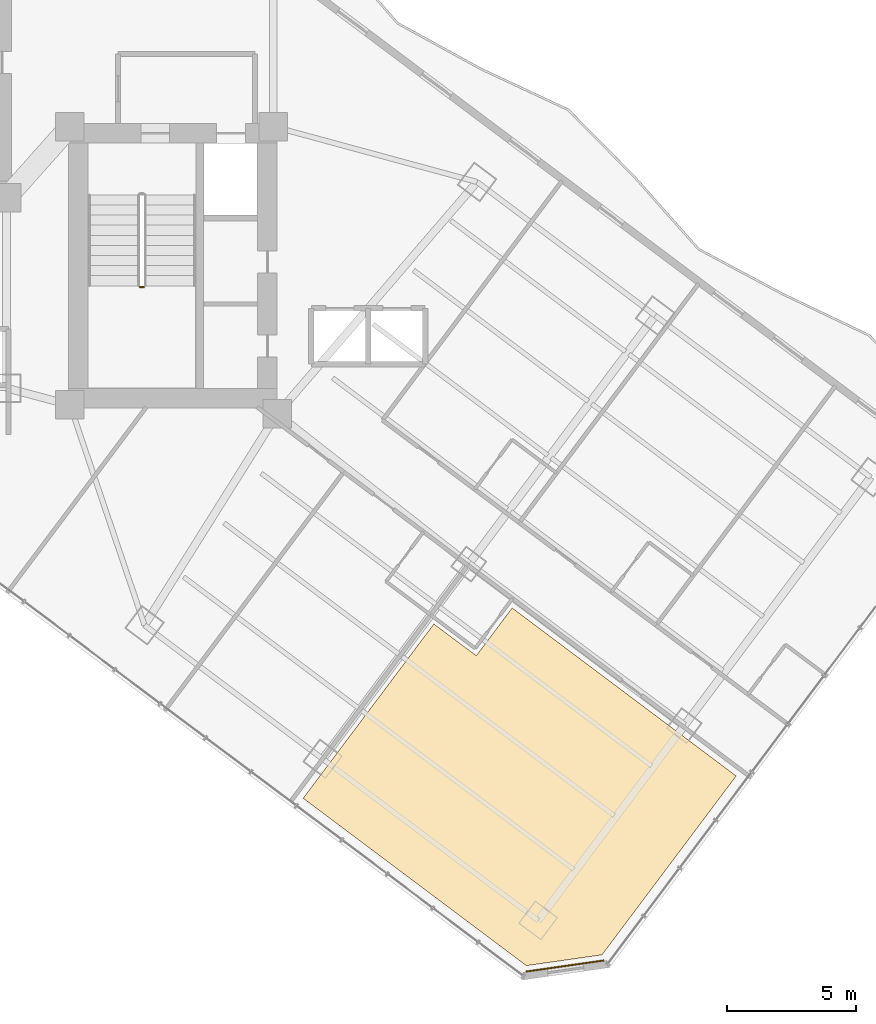
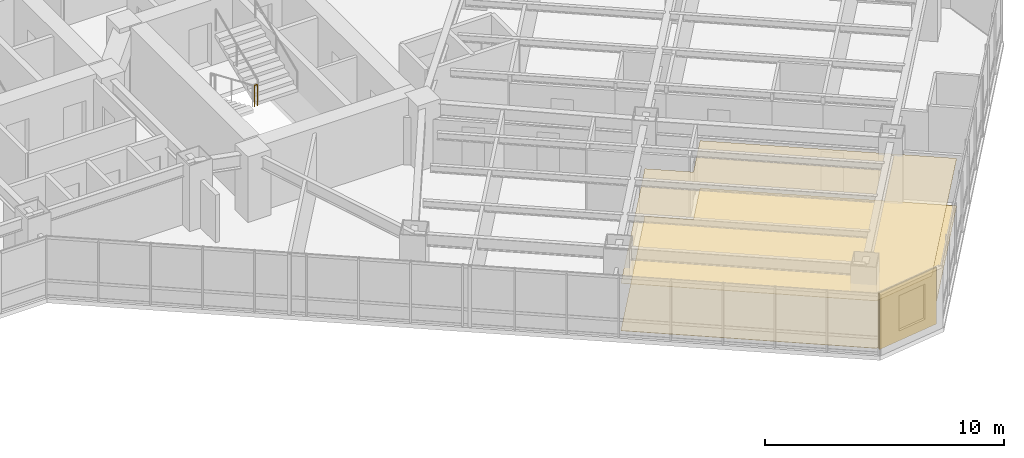
# One storey, part 35 of 39: 3 coverings, 1 railing.
"""IFC4 building model written with IfcOpenShell, lengths in metres."""

import ifcopenshell
import ifcopenshell.guid

model = None  # the IFC model being written
_history = None  # IfcOwnerHistory: only IFC2X3 demands one
_inside = {}  # id of a spatial element -> (the spatial element, [elements in it])
_under = {}  # id of a project, library or spatial element -> (it, [spatial elements below it])
_declared = {}  # id of a project -> (the project, [libraries it declares])
_typed = {}  # id of a type object -> (the type object, [elements of that type])
_made_of = {}  # id of a material, layer set ... -> (it, [elements and type objects made of it])


def new_model(schema):
    """Start an empty IFC model of exactly this schema.

    Asked for "IFC4X3", IfcOpenShell would pick the latest addendum, in which some entities
    have other attributes; the version numbers below select the first issue.
    IFC2X3 requires an IfcOwnerHistory on every rooted entity: one is made here for all.
    """
    global model, _history
    if schema == "IFC4X3":
        model = ifcopenshell.file(schema_version=(4, 3, 0, 0))
    else:
        model = ifcopenshell.file(schema=schema)
    _inside.clear()
    _under.clear()
    _declared.clear()
    _typed.clear()
    _made_of.clear()
    _history = None
    if model.schema == "IFC2X3":
        org = make("IfcOrganization", Name="unknown")
        user = make(
            "IfcPersonAndOrganization",
            ThePerson=make("IfcPerson", FamilyName="unknown"),
            TheOrganization=org,
        )
        app = make(
            "IfcApplication",
            ApplicationDeveloper=org,
            Version="unknown",
            ApplicationFullName="unknown",
            ApplicationIdentifier="unknown",
        )
        _history = make(
            "IfcOwnerHistory",
            OwningUser=user,
            OwningApplication=app,
            ChangeAction="ADDED",
            CreationDate=0,
        )
    return model


def make(cls, **values):
    """One entity of the class cls with the attributes given. An attribute that is None is left unset."""
    return model.create_entity(
        cls, **{name: value for name, value in values.items() if value is not None}
    )


def rooted(cls, **values):
    """An entity with a GlobalId (a new one), such as an element, a storey or a relation."""
    return make(cls, GlobalId=ifcopenshell.guid.new(), OwnerHistory=_history, **values)


def si_unit(unit_type, name, prefix=None):
    """IfcSIUnit, for example si_unit("LENGTHUNIT", "METRE", prefix="MILLI")."""
    return make("IfcSIUnit", UnitType=unit_type, Prefix=prefix, Name=name)


def assignment(units):
    """IfcUnitAssignment: the units of a project."""
    return None if units is None else make("IfcUnitAssignment", Units=units)


def point(xyz):
    """IfcCartesianPoint."""
    return None if xyz is None else make("IfcCartesianPoint", Coordinates=xyz)


def direction(xyz):
    """IfcDirection."""
    return None if xyz is None else make("IfcDirection", DirectionRatios=xyz)


def frame(location, z_axis=None, x_axis=None):
    """IfcAxis2Placement3D, a coordinate frame: its origin and axes. An axis left out is left unset."""
    return make(
        "IfcAxis2Placement3D",
        Location=point(location),
        Axis=direction(z_axis),
        RefDirection=direction(x_axis),
    )


def frame_2d(location, x_axis=None):
    """IfcAxis2Placement2D, a coordinate frame in the plane: its origin and x axis."""
    return make(
        "IfcAxis2Placement2D", Location=point(location), RefDirection=direction(x_axis)
    )


def origin():
    """The frame at (0, 0, 0) with its axes left unset."""
    return frame((0.0, 0.0, 0.0))


def origin_2d():
    """The frame at (0, 0) in the plane with its x axis left unset."""
    return frame_2d((0.0, 0.0))


def place(relative_to, where):
    """IfcLocalPlacement: puts the frame where relative to a parent placement (None: the world)."""
    return make(
        "IfcLocalPlacement", PlacementRelTo=relative_to, RelativePlacement=where
    )


def context(
    kind, dimensions, precision=None, world=None, true_north=None, identifier=None
):
    """IfcGeometricRepresentationContext, for example the 3D "Model" context."""
    return make(
        "IfcGeometricRepresentationContext",
        ContextIdentifier=identifier,
        ContextType=kind,
        CoordinateSpaceDimension=dimensions,
        Precision=precision,
        WorldCoordinateSystem=world,
        TrueNorth=true_north,
    )


def subcontext(parent, identifier, kind, view, scale=None):
    """IfcGeometricRepresentationSubContext, for example "Body" below "Model"."""
    return make(
        "IfcGeometricRepresentationSubContext",
        ContextIdentifier=identifier,
        ContextType=kind,
        ParentContext=parent,
        TargetScale=scale,
        TargetView=view,
    )


def project(units=None, contexts=None):
    """IfcProject with its units and contexts."""
    return rooted(
        "IfcProject",
        Name="project",
        RepresentationContexts=contexts,
        UnitsInContext=assignment(units),
    )


def spatial(cls, under=None, at=None, **own):
    """A site, building, storey or space (cls), placed at a placement, below another one or the project."""
    s = rooted(cls, ObjectPlacement=at, **own)
    if under is not None:
        _under.setdefault(under.id(), (under, []))[1].append(s)
    return s


def polyline(points):
    """IfcPolyline through the points."""
    return make("IfcPolyline", Points=[point(p) for p in points])


def profile(cls, at=None, kind="AREA", **sizes):
    """A parametric profile (cls). Its sizes go by their IFC names, for example OverallWidth=200.0."""
    return make(cls, ProfileType=kind, Position=at, **sizes)


def rectangle(**sizes):
    """IfcRectangleProfileDef."""
    return profile("IfcRectangleProfileDef", **sizes)


def circle(**sizes):
    """IfcCircleProfileDef."""
    return profile("IfcCircleProfileDef", **sizes)


def outline(outer, holes=None, kind="AREA"):
    """IfcArbitraryClosedProfileDef: a profile drawn as a closed curve; with holes, ...WithVoids."""
    if holes is None:
        return make("IfcArbitraryClosedProfileDef", ProfileType=kind, OuterCurve=outer)
    return make(
        "IfcArbitraryProfileDefWithVoids",
        ProfileType=kind,
        OuterCurve=outer,
        InnerCurves=holes,
    )


def extrude(swept, where, along, depth):
    """IfcExtrudedAreaSolid: the profile swept, set in the frame where, extruded along a direction by depth."""
    return make(
        "IfcExtrudedAreaSolid",
        SweptArea=swept,
        Position=where,
        ExtrudedDirection=direction(along),
        Depth=depth,
    )


def shape(context_of_items, identifier, shape_type, items):
    """IfcShapeRepresentation: the items that make up one representation, for example the "Body"."""
    return make(
        "IfcShapeRepresentation",
        ContextOfItems=context_of_items,
        RepresentationIdentifier=identifier,
        RepresentationType=shape_type,
        Items=items,
    )


def material(Name=None, Category=None):
    """IfcMaterial."""
    return make("IfcMaterial", Name=Name, Category=Category)


def layer(
    of_material, thickness, ventilated=None, Name=None, Category=None, Priority=None
):
    """IfcMaterialLayer: one layer of a wall or slab, of a material (None: an air gap)."""
    return make(
        "IfcMaterialLayer",
        Material=of_material,
        LayerThickness=thickness,
        IsVentilated=ventilated,
        Name=Name,
        Category=Category,
        Priority=Priority,
    )


def layer_set(layers, Name=None):
    """IfcMaterialLayerSet."""
    return make("IfcMaterialLayerSet", MaterialLayers=layers, LayerSetName=Name)


def made_of(thing, what):
    """Note that an element or type object is made of a material, layer set ...; save() writes the relation."""
    if what is not None:
        _made_of.setdefault(what.id(), (what, []))[1].append(thing)
    return thing


def type_object(cls, material=None, **own):
    """A type object (cls), such as IfcWallType, which elements share."""
    return made_of(rooted(cls, **own), material)


def element(
    cls,
    number,
    at=None,
    inside=None,
    cuts=None,
    type_object=None,
    material=None,
    context=None,
    identifier="Body",
    shape_type=None,
    held_by="IfcProductDefinitionShape",
    body=None,
    shapes=None,
    **own,
):
    """One element of the class cls, such as IfcWall. Its Tag is "e" and its number.

    at: its placement. inside: the storey or other place that contains it. cuts: it is an
    opening in that element (IfcRelVoidsElement). A single representation is given by context,
    identifier, shape_type and body (its items); several are given by shapes. held_by: the class
    of the entity that holds the representations. save() writes the other relations.
    """
    e = rooted(cls, Tag="e%d" % number, ObjectPlacement=at, **own)
    if body is not None:
        shapes = [shape(context, identifier, shape_type, body)]
    if shapes is not None:
        e.Representation = make(held_by, Representations=shapes)
    if inside is not None:
        _inside.setdefault(inside.id(), (inside, []))[1].append(e)
    if cuts is not None:
        rooted(
            "IfcRelVoidsElement", RelatingBuildingElement=cuts, RelatedOpeningElement=e
        )
    if type_object is not None:
        _typed.setdefault(type_object.id(), (type_object, []))[1].append(e)
    return made_of(e, material)


def aggregate(whole, parts):
    """IfcRelAggregates: a whole, such as a stair, and the parts it consists of."""
    return rooted("IfcRelAggregates", RelatingObject=whole, RelatedObjects=parts)


def save(model, path):
    """Write the relations noted so far, then the file.

    IfcRelAggregates (storeys below a building ...), IfcRelContainedInSpatialStructure (elements
    in a storey), IfcRelDefinesByType, IfcRelAssociatesMaterial and IfcRelDeclares: one each for
    every whole, place, type object, material and project.
    """
    for whole, parts in _under.values():
        aggregate(whole, parts)
    for where, things in _inside.values():
        rooted(
            "IfcRelContainedInSpatialStructure",
            RelatedElements=things,
            RelatingStructure=where,
        )
    for kind, things in _typed.values():
        rooted("IfcRelDefinesByType", RelatedObjects=things, RelatingType=kind)
    for what, things in _made_of.values():
        rooted("IfcRelAssociatesMaterial", RelatedObjects=things, RelatingMaterial=what)
    for by, libraries in _declared.values():
        rooted("IfcRelDeclares", RelatingContext=by, RelatedDefinitions=libraries)
    model.write(path)


model = new_model("IFC4")

# Units and contexts
model_context = context("Model", 3, precision=1e-05, world=origin(), true_north=direction((0.0, 1.0)))
body_context = subcontext(model_context, "Body", "Model", "MODEL_VIEW")
ifc_project = project(units=[si_unit("LENGTHUNIT", "METRE"), si_unit("AREAUNIT", "SQUARE_METRE"), si_unit("VOLUMEUNIT", "CUBIC_METRE"), si_unit("PLANEANGLEUNIT", "RADIAN"), si_unit("MASSUNIT", "GRAM", prefix="KILO")], contexts=[model_context])

# Site, building, storey
site_placement = place(None, origin())
site = spatial("IfcSite", under=ifc_project, at=site_placement, CompositionType="ELEMENT")
building_placement = place(site_placement, origin())
building = spatial("IfcBuilding", under=site, at=building_placement, Name="Hatsunagi Terrace Concourse", CompositionType="ELEMENT")
storey_placement = place(building_placement, frame((0.0, 0.0, 66.75)))
storey = spatial("IfcBuildingStorey", under=building, at=storey_placement, Name="L17", CompositionType="ELEMENT", Elevation=66.75)

# Coverings
ifc_material_1 = material(Name="Acoustic mineral board", Category="gypsum")
ifc_layer_1 = layer(ifc_material_1, 0.02001953125)
ifc_layer_set_1 = layer_set([ifc_layer_1], Name="AcousticMineralCeiling_20")
covering_type_1 = type_object("IfcCoveringType", Name="AcousticMineralCeiling_20", PredefinedType="CEILING", material=ifc_layer_set_1)
covering_1_placement = place(storey_placement, frame((0.0, 0.0, 2.419921875)))
element("IfcCovering", 1, at=covering_1_placement, inside=storey, type_object=covering_type_1, Name="Suspended Ceiling L17-1", PredefinedType="CEILING", context=body_context, shape_type="SweptSolid", body=[
    extrude(outline(polyline([(56.347900390625, 3.31396484375), (61.52587890625, 10.218017578125), (52.8759765625, 16.705078125), (51.491943359375, 14.862060546875), (49.85302734375, 16.087890625), (44.805908203125, 9.35791015625), (53.422119140625, 2.89599609375), (56.347900390625, 3.31396484375)])), origin(), (0.0, 0.0, 1.0), 0.02001953125),
])
ifc_material_2 = material(Name="Hardwood timber", Category="wood")
ifc_layer_2 = layer(ifc_material_2, 0.014892578125)
ifc_layer_set_2 = layer_set([ifc_layer_2], Name="HardwoodTimberFlooring_15")
covering_type_2 = type_object("IfcCoveringType", Name="HardwoodTimberFlooring_15", PredefinedType="FLOORING", material=ifc_layer_set_2)
covering_2_placement = place(storey_placement, origin())
element("IfcCovering", 2, at=covering_2_placement, inside=storey, type_object=covering_type_2, Name="Finished Flooring L17-1", PredefinedType="FLOORING", context=body_context, shape_type="SweptSolid", body=[
    extrude(outline(polyline([(56.347900390625, 3.31396484375), (61.52587890625, 10.218017578125), (52.8759765625, 16.705078125), (51.491943359375, 14.862060546875), (49.85302734375, 16.087890625), (44.805908203125, 9.35791015625), (53.422119140625, 2.89599609375), (56.347900390625, 3.31396484375)])), origin(), (0.0, 0.0, 1.0), 0.014892578125),
])

# Railing
ifc_material_3 = material(Name="Stainless steel", Category="steel")
ifc_layer_3 = layer(ifc_material_3, 0.06005859375)
ifc_layer_set_3 = layer_set([ifc_layer_3], Name="StairWellGuard_Tower2000")
railing_type = type_object("IfcRailingType", Name="StairWellGuard_Tower2000", PredefinedType="BALUSTRADE", material=ifc_layer_set_3)
railing_placement = place(storey_placement, frame((38.5, 29.10009765625, 1.675048828125)))
element("IfcRailing", 3, at=railing_placement, inside=storey, type_object=railing_type, Name="L17 ST-B stair guard 2", PredefinedType="BALUSTRADE", context=body_context, shape_type="SweptSolid", body=[
    extrude(circle(Radius=0.02392578125, at=origin_2d()), frame((0.0, 0.0, 1.09619140625), z_axis=(1.0, 0.0, 0.0), x_axis=(0.0, 1.0, 0.0)), (0.0, 0.0, 1.0), 0.14990234375),
    extrude(circle(Radius=0.02099609375, at=origin_2d()), origin(), (0.0, 0.0, 1.0), 1.072021484375),
    extrude(circle(Radius=0.02099609375, at=origin_2d()), frame((0.14990234375, 0.0, 0.0)), (0.0, 0.0, 1.0), 1.072021484375),
])

# Covering
ifc_material_4 = material(Name="Unglazed Warm Terracotta Rainscreen Tile", Category="masonry")
ifc_layer_4 = layer(ifc_material_4, 0.044921875)
ifc_layer_set_4 = layer_set([ifc_layer_4], Name="TerracottaRainscreenCladding_45")
covering_type_3 = type_object("IfcCoveringType", Name="TerracottaRainscreenCladding_45", PredefinedType="CLADDING", material=ifc_layer_set_4)
covering_3_placement = place(storey_placement, frame((54.91796875, 2.87890625, 0.10009765625), z_axis=(0.0, 0.0, 1.0), x_axis=(-0.989973920543, -0.141250262458, 0.0)))
element("IfcCovering", 4, at=covering_3_placement, inside=storey, type_object=covering_type_3, Name="Terracotta Rainscreen Cladding L17-04", PredefinedType="CLADDING", context=body_context, shape_type="SweptSolid", body=[
    extrude(rectangle(XDim=3.0380859375, YDim=0.044921875, at=origin_2d()), origin(), (0.0, 0.0, 1.0), 2.889892578125),
])

save(model, "model.ifc")
